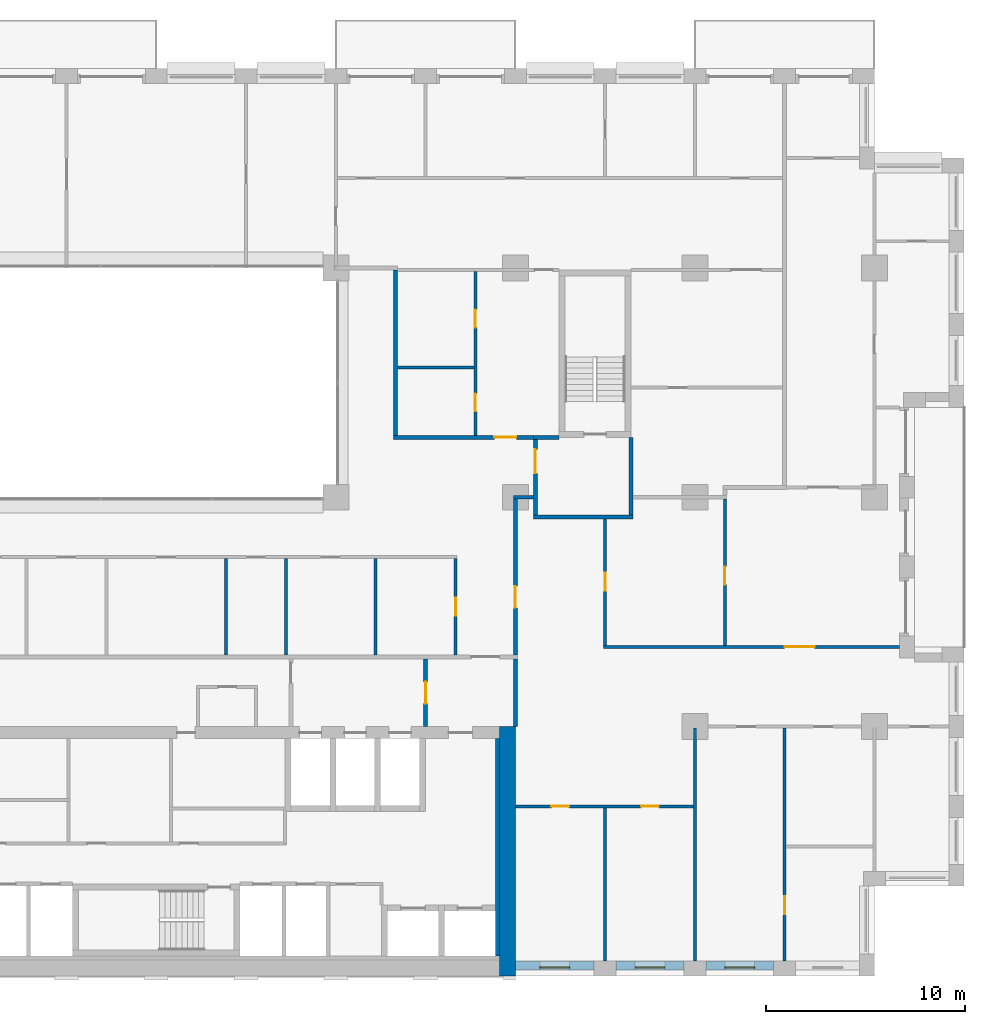
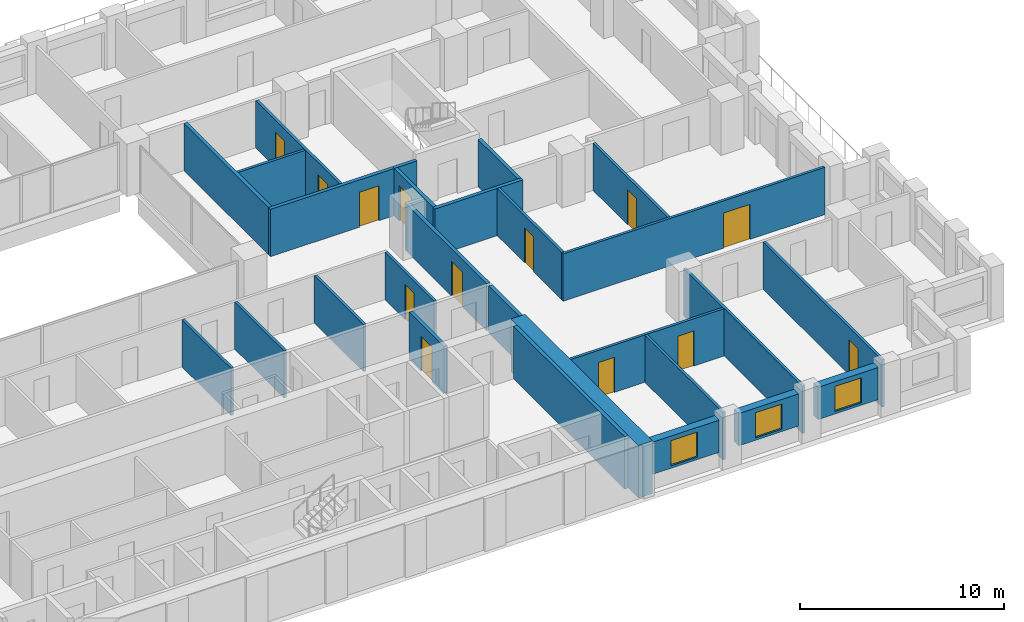
# One storey, part 11 of 17: 28 walls, 13 doors, 3 windows, 16 openings.
"""IFC4 building model written with IfcOpenShell, lengths in metres."""

from ifc_helpers import new_model, si_unit, direction, frame, frame_2d, origin, place, context, subcontext, project, spatial, rectangle, extrude, material, layer, layer_set, type_object, element, fill, save


model = new_model("IFC4")

# Units and contexts
model_context = context("Model", 3, precision=1e-05, world=origin(), true_north=direction((0.0, 1.0)))
body_context = subcontext(model_context, "Body", "Model", "MODEL_VIEW")
ifc_project = project(units=[si_unit("LENGTHUNIT", "METRE"), si_unit("AREAUNIT", "SQUARE_METRE"), si_unit("VOLUMEUNIT", "CUBIC_METRE"), si_unit("PLANEANGLEUNIT", "RADIAN"), si_unit("MASSUNIT", "GRAM", prefix="KILO")], contexts=[model_context])

# Site, building, storey
site_placement = place(None, origin())
site = spatial("IfcSite", under=ifc_project, at=site_placement, CompositionType="ELEMENT")
building_placement = place(site_placement, origin())
building = spatial("IfcBuilding", under=site, at=building_placement, Name="Brigalow Station Residences", CompositionType="ELEMENT")
storey_placement = place(building_placement, frame((0.0, 0.0, 96.14990234375)))
storey = spatial("IfcBuildingStorey", under=building, at=storey_placement, Name="L27", CompositionType="ELEMENT", Elevation=96.14990234375)

# Wall, opening, window
ifc_material_1 = material(Name="Clay brick masonry", Category="masonry")
ifc_layer_1 = layer(ifc_material_1, 0.449951171875)
ifc_layer_set_1 = layer_set([ifc_layer_1], Name="BRICK INFILL WALL 450")
wall_type_1 = type_object("IfcWallType", Name="BRICK INFILL WALL 450", PredefinedType="SOLIDWALL", material=ifc_layer_set_1)
wall_1_placement = place(storey_placement, frame((54.0, 0.52490234375, 0.900146484375), z_axis=(0.0, 0.0, 1.0), x_axis=(1.0, 0.0, 0.0)))
wall_1 = element("IfcWall", 1, at=wall_1_placement, inside=storey, type_object=wall_type_1, Name="L27/ewall/W-L27-4", PredefinedType="SOLIDWALL", context=body_context, shape_type="SweptSolid", body=[
    extrude(rectangle(XDim=3.949951171875, YDim=0.449951171875, at=frame_2d((1.97509765625, 0.0))), origin(), (0.0, 0.0, 1.0), 1.929931640625),
])
opening_1_placement = place(wall_1_placement, frame((1.22509765625, 0.0, 0.14990234375)))
opening_1 = element("IfcOpeningElement", 2, at=opening_1_placement, cuts=wall_1, Name="Opening WT-1", PredefinedType="OPENING", context=body_context, shape_type="SweptSolid", body=[
    extrude(rectangle(XDim=1.5, YDim=1.5, at=frame_2d((0.75, 0.75))), frame((0.0, 0.23486328125, 0.0), z_axis=(0.0, -1.0, 0.0), x_axis=(1.0, 0.0, 0.0)), (0.0, 0.0, 1.0), 0.469970703125),
])
ifc_material_2 = material(Name="Anodised aluminium frame with double glazing", Category="aluminium")
window_type = type_object("IfcWindowType", Name="WINDOW 1500x1500", PartitioningType="SINGLE_PANEL", PredefinedType="WINDOW", material=ifc_material_2)
window_1_placement = place(opening_1_placement, origin())
window_1 = element("IfcWindow", 3, at=window_1_placement, inside=storey, type_object=window_type, Name="L27/window/W-L27-4", OverallHeight=1.5, OverallWidth=1.5, PartitioningType="SINGLE_PANEL", PredefinedType="WINDOW", context=body_context, shape_type="SweptSolid", body=[
    extrude(rectangle(XDim=1.5, YDim=1.5, at=frame_2d((0.75, 0.75))), frame((0.0, -0.06494140625, 0.0), z_axis=(0.0, -1.0, 0.0), x_axis=(1.0, 0.0, 0.0)), (0.0, 0.0, 1.0), 0.06005859375),
])
fill(opening_1, window_1)

wall_2_placement = place(storey_placement, frame((59.050048828125, 0.52490234375, 0.900146484375), z_axis=(0.0, 0.0, 1.0), x_axis=(1.0, 0.0, 0.0)))
wall_2 = element("IfcWall", 4, at=wall_2_placement, inside=storey, type_object=wall_type_1, Name="L27/ewall/W-L27-5", PredefinedType="SOLIDWALL", context=body_context, shape_type="SweptSolid", body=[
    extrude(rectangle(XDim=3.39990234375, YDim=0.449951171875, at=frame_2d((1.699951171875, 0.0))), origin(), (0.0, 0.0, 1.0), 1.929931640625),
])
opening_2_placement = place(wall_2_placement, frame((0.949951171875, 0.0, 0.14990234375)))
opening_2 = element("IfcOpeningElement", 5, at=opening_2_placement, cuts=wall_2, Name="Opening WT-1", PredefinedType="OPENING", context=body_context, shape_type="SweptSolid", body=[
    extrude(rectangle(XDim=1.5, YDim=1.5, at=frame_2d((0.75, 0.75))), frame((0.0, 0.23486328125, 0.0), z_axis=(0.0, -1.0, 0.0), x_axis=(1.0, 0.0, 0.0)), (0.0, 0.0, 1.0), 0.469970703125),
])
window_2_placement = place(opening_2_placement, origin())
window_2 = element("IfcWindow", 6, at=window_2_placement, inside=storey, type_object=window_type, Name="L27/window/W-L27-5", OverallHeight=1.5, OverallWidth=1.5, PartitioningType="SINGLE_PANEL", PredefinedType="WINDOW", context=body_context, shape_type="SweptSolid", body=[
    extrude(rectangle(XDim=1.5, YDim=1.5, at=frame_2d((0.75, 0.75))), frame((0.0, -0.06494140625, 0.0), z_axis=(0.0, -1.0, 0.0), x_axis=(1.0, 0.0, 0.0)), (0.0, 0.0, 1.0), 0.06005859375),
])
fill(opening_2, window_2)

wall_3_placement = place(storey_placement, frame((63.550048828125, 0.52490234375, 0.900146484375), z_axis=(0.0, 0.0, 1.0), x_axis=(1.0, 0.0, 0.0)))
wall_3 = element("IfcWall", 7, at=wall_3_placement, inside=storey, type_object=wall_type_1, Name="L27/ewall/W-L27-6", PredefinedType="SOLIDWALL", context=body_context, shape_type="SweptSolid", body=[
    extrude(rectangle(XDim=3.39990234375, YDim=0.449951171875, at=frame_2d((1.699951171875, 0.0))), origin(), (0.0, 0.0, 1.0), 1.929931640625),
])
opening_3_placement = place(wall_3_placement, frame((0.949951171875, 0.0, 0.14990234375)))
opening_3 = element("IfcOpeningElement", 8, at=opening_3_placement, cuts=wall_3, Name="Opening WT-1", PredefinedType="OPENING", context=body_context, shape_type="SweptSolid", body=[
    extrude(rectangle(XDim=1.5, YDim=1.5, at=frame_2d((0.75, 0.75))), frame((0.0, 0.23486328125, 0.0), z_axis=(0.0, -1.0, 0.0), x_axis=(1.0, 0.0, 0.0)), (0.0, 0.0, 1.0), 0.469970703125),
])
window_3_placement = place(opening_3_placement, origin())
window_3 = element("IfcWindow", 9, at=window_3_placement, inside=storey, type_object=window_type, Name="L27/window/W-L27-6", OverallHeight=1.5, OverallWidth=1.5, PartitioningType="SINGLE_PANEL", PredefinedType="WINDOW", context=body_context, shape_type="SweptSolid", body=[
    extrude(rectangle(XDim=1.5, YDim=1.5, at=frame_2d((0.75, 0.75))), frame((0.0, -0.06494140625, 0.0), z_axis=(0.0, -1.0, 0.0), x_axis=(1.0, 0.0, 0.0)), (0.0, 0.0, 1.0), 0.06005859375),
])
fill(opening_3, window_3)

# Walls
ifc_material_3 = material(Name="Concrete C65", Category="concrete")
ifc_layer_2 = layer(ifc_material_3, 0.199951171875)
ifc_layer_set_2 = layer_set([ifc_layer_2], Name="CORE SHEAR WALL 200 C65")
wall_type_2 = type_object("IfcWallType", Name="CORE SHEAR WALL 200 C65", PredefinedType="SHEAR", material=ifc_layer_set_2)
wall_4_placement = place(storey_placement, frame((53.10009765625, 1.0, 0.0), z_axis=(0.0, 0.0, 1.0), x_axis=(0.0, 1.0, 0.0)))
element("IfcWall", 10, at=wall_4_placement, inside=storey, type_object=wall_type_2, Name="CORE WALL LIN-E L27", PredefinedType="SHEAR", context=body_context, shape_type="SweptSolid", body=[
    extrude(rectangle(XDim=10.89990234375, YDim=0.199951171875, at=frame_2d((5.449951171875, 0.0))), origin(), (0.0, 0.0, 1.0), 3.150146484375),
])
ifc_material_4 = material(Name="Concrete C65", Category="concrete")
ifc_layer_3 = layer(ifc_material_4, 0.800048828125)
ifc_layer_set_3 = layer_set([ifc_layer_3], Name="CORE SHEAR WALL 800 C65")
wall_type_3 = type_object("IfcWallType", Name="CORE SHEAR WALL 800 C65", PredefinedType="SHEAR", material=ifc_layer_set_3)
wall_5_placement = place(storey_placement, frame((53.60009765625, 0.0, 0.0), z_axis=(0.0, 0.0, 1.0), x_axis=(0.0, 1.0, 0.0)))
element("IfcWall", 11, at=wall_5_placement, inside=storey, type_object=wall_type_3, Name="CORE WALL OUT-E L27", PredefinedType="SHEAR", context=body_context, shape_type="SweptSolid", body=[
    extrude(rectangle(XDim=12.5, YDim=0.800048828125, at=frame_2d((6.25, 0.0))), origin(), (0.0, 0.0, 1.0), 3.150146484375),
])
ifc_material_5 = material(Name="Concrete blockwork", Category="masonry")
ifc_layer_4 = layer(ifc_material_5, 0.199951171875)
ifc_layer_set_4 = layer_set([ifc_layer_4], Name="FIRE RATED CORE PARTITION 200")
wall_type_4 = type_object("IfcWallType", Name="FIRE RATED CORE PARTITION 200", PredefinedType="PARTITIONING", material=ifc_layer_set_4)
wall_6_placement = place(storey_placement, frame((54.89990234375, 23.0, 0.0), z_axis=(0.0, 0.0, 1.0), x_axis=(1.0, 0.0, 0.0)))
element("IfcWall", 12, at=wall_6_placement, inside=storey, type_object=wall_type_4, Name="PW-5024", PredefinedType="PARTITIONING", context=body_context, shape_type="SweptSolid", body=[
    extrude(rectangle(XDim=5.0, YDim=0.199951171875, at=frame_2d((2.5, 0.0))), origin(), (0.0, 0.0, 1.0), 2.830078125),
])
wall_7_placement = place(storey_placement, frame((54.89990234375, 27.0, 0.0), z_axis=(0.0, 0.0, 1.0), x_axis=(1.0, 0.0, 0.0)))
element("IfcWall", 13, at=wall_7_placement, inside=storey, type_object=wall_type_4, Name="PW-5026", PredefinedType="PARTITIONING", context=body_context, shape_type="SweptSolid", body=[
    extrude(rectangle(XDim=1.300048828125, YDim=0.199951171875, at=frame_2d((0.64990234375, 0.0))), origin(), (0.0, 0.0, 1.0), 2.830078125),
])

# Wall, opening, door
wall_8_placement = place(storey_placement, frame((49.5, 12.5, 0.0), z_axis=(0.0, 0.0, 1.0), x_axis=(0.0, 1.0, 0.0)))
wall_8 = element("IfcWall", 14, at=wall_8_placement, inside=storey, type_object=wall_type_4, Name="PW-5015", PredefinedType="PARTITIONING", context=body_context, shape_type="SweptSolid", body=[
    extrude(rectangle(XDim=3.39990234375, YDim=0.199951171875, at=frame_2d((1.699951171875, 0.0))), origin(), (0.0, 0.0, 1.0), 2.830078125),
])
opening_4_placement = place(wall_8_placement, frame((1.14990234375, 0.0, 0.0)))
opening_4 = element("IfcOpeningElement", 15, at=opening_4_placement, cuts=wall_8, Name="Opening D-5014", PredefinedType="OPENING", context=body_context, shape_type="SweptSolid", body=[
    extrude(rectangle(XDim=1.10009765625, YDim=2.10009765625, at=frame_2d((0.550048828125, 1.050048828125))), frame((0.0, 0.10986328125, 0.0), z_axis=(0.0, -1.0, 0.0), x_axis=(1.0, 0.0, 0.0)), (0.0, 0.0, 1.0), 0.219970703125),
])
ifc_material_6 = material(Name="Steel fire door leaf in steel frame", Category="steel")
door_type_1 = type_object("IfcDoorType", Name="LOBBY DOOR 1100 x 2100 FD60S", OperationType="SINGLE_SWING_LEFT", PredefinedType="DOOR", material=ifc_material_6)
door_1_placement = place(opening_4_placement, origin())
door_1 = element("IfcDoor", 16, at=door_1_placement, inside=storey, type_object=door_type_1, Name="D-5014", OperationType="SINGLE_SWING_LEFT", OverallHeight=2.10009765625, OverallWidth=1.10009765625, PredefinedType="DOOR", context=body_context, shape_type="SweptSolid", body=[
    extrude(rectangle(XDim=1.10009765625, YDim=2.10009765625, at=frame_2d((0.550048828125, 1.050048828125))), frame((0.0, 0.02490234375, 0.0), z_axis=(0.0, -1.0, 0.0), x_axis=(1.0, 0.0, 0.0)), (0.0, 0.0, 1.0), 0.050048828125),
])
fill(opening_4, door_1)

# Wall
wall_9_placement = place(storey_placement, frame((54.0, 12.5, 0.0), z_axis=(0.0, 0.0, 1.0), x_axis=(0.0, 1.0, 0.0)))
element("IfcWall", 17, at=wall_9_placement, inside=storey, type_object=wall_type_4, Name="PW-5016", PredefinedType="PARTITIONING", context=body_context, shape_type="SweptSolid", body=[
    extrude(rectangle(XDim=3.39990234375, YDim=0.199951171875, at=frame_2d((1.699951171875, 0.0))), origin(), (0.0, 0.0, 1.0), 2.830078125),
])

# Wall, opening, door
wall_10_placement = place(storey_placement, frame((55.0, 23.10009765625, 0.0), z_axis=(0.0, 0.0, 1.0), x_axis=(0.0, 1.0, 0.0)))
wall_10 = element("IfcWall", 18, at=wall_10_placement, inside=storey, type_object=wall_type_4, Name="PW-5036", PredefinedType="PARTITIONING", context=body_context, shape_type="SweptSolid", body=[
    extrude(rectangle(XDim=3.7998046875, YDim=0.199951171875, at=frame_2d((1.89990234375, 0.0))), origin(), (0.0, 0.0, 1.0), 2.830078125),
])
opening_5_placement = place(wall_10_placement, frame((2.10009765625, 0.0, 0.0)))
opening_5 = element("IfcOpeningElement", 19, at=opening_5_placement, cuts=wall_10, Name="Opening D-5019", PredefinedType="OPENING", context=body_context, shape_type="SweptSolid", body=[
    extrude(rectangle(XDim=1.199951171875, YDim=2.10009765625, at=frame_2d((0.60009765625, 1.050048828125))), frame((0.0, 0.10986328125, 0.0), z_axis=(0.0, -1.0, 0.0), x_axis=(1.0, 0.0, 0.0)), (0.0, 0.0, 1.0), 0.219970703125),
])
ifc_material_7 = material(Name="Steel fire door leaf in steel frame", Category="steel")
door_type_2 = type_object("IfcDoorType", Name="STAIR LOBBY DOOR 1200 x 2100 FD60S", OperationType="SINGLE_SWING_LEFT", PredefinedType="DOOR", material=ifc_material_7)
door_2_placement = place(opening_5_placement, frame((1.199951171875, 0.0, 0.0), z_axis=(0.0, 0.0, 1.0), x_axis=(-1.0, 0.0, 0.0)))
door_2 = element("IfcDoor", 20, at=door_2_placement, inside=storey, type_object=door_type_2, Name="D-5019", OperationType="SINGLE_SWING_LEFT", OverallHeight=2.10009765625, OverallWidth=1.199951171875, PredefinedType="DOOR", context=body_context, shape_type="SweptSolid", body=[
    extrude(rectangle(XDim=1.199951171875, YDim=2.10009765625, at=frame_2d((0.60009765625, 1.050048828125))), frame((0.0, 0.02490234375, 0.0), z_axis=(0.0, -1.0, 0.0), x_axis=(1.0, 0.0, 0.0)), (0.0, 0.0, 1.0), 0.050048828125),
])
fill(opening_5, door_2)

# Wall
wall_11_placement = place(storey_placement, frame((59.800048828125, 23.10009765625, 0.0), z_axis=(0.0, 0.0, 1.0), x_axis=(0.0, 1.0, 0.0)))
element("IfcWall", 21, at=wall_11_placement, inside=storey, type_object=wall_type_4, Name="PW-5037", PredefinedType="PARTITIONING", context=body_context, shape_type="SweptSolid", body=[
    extrude(rectangle(XDim=3.89990234375, YDim=0.199951171875, at=frame_2d((1.949951171875, 0.0))), origin(), (0.0, 0.0, 1.0), 2.830078125),
])

# Wall, openings, doors
ifc_material_8 = material(Name="Plasterboard on steel stud partition", Category="steel")
ifc_layer_5 = layer(ifc_material_8, 0.14990234375)
ifc_layer_set_5 = layer_set([ifc_layer_5], Name="FLAT PARTITION 150")
wall_type_5 = type_object("IfcWallType", Name="FLAT PARTITION 150", PredefinedType="PARTITIONING", material=ifc_layer_set_5)
wall_12_placement = place(storey_placement, frame((54.0, 8.5, 0.0), z_axis=(0.0, 0.0, 1.0), x_axis=(1.0, 0.0, 0.0)))
wall_12 = element("IfcWall", 22, at=wall_12_placement, inside=storey, type_object=wall_type_5, Name="PW-2B12", PredefinedType="PARTITIONING", context=body_context, shape_type="SweptSolid", body=[
    extrude(rectangle(XDim=8.925048828125, YDim=0.14990234375, at=frame_2d((4.46240234375, 0.0))), origin(), (0.0, 0.0, 1.0), 2.830078125),
])
opening_6_placement = place(wall_12_placement, frame((1.800048828125, 0.0, 0.0)))
opening_6 = element("IfcOpeningElement", 23, at=opening_6_placement, cuts=wall_12, Name="Opening D-2B34", PredefinedType="OPENING", context=body_context, shape_type="SweptSolid", body=[
    extrude(rectangle(XDim=0.89990234375, YDim=2.10009765625, at=frame_2d((0.449951171875, 1.050048828125))), frame((0.0, 0.0849609375, 0.0), z_axis=(0.0, -1.0, 0.0), x_axis=(1.0, 0.0, 0.0)), (0.0, 0.0, 1.0), 0.169921875),
])
opening_7_placement = place(wall_12_placement, frame((6.300048828125, 0.0, 0.0)))
opening_7 = element("IfcOpeningElement", 24, at=opening_7_placement, cuts=wall_12, Name="Opening D-2B36", PredefinedType="OPENING", context=body_context, shape_type="SweptSolid", body=[
    extrude(rectangle(XDim=0.89990234375, YDim=2.10009765625, at=frame_2d((0.449951171875, 1.050048828125))), frame((0.0, 0.0849609375, 0.0), z_axis=(0.0, -1.0, 0.0), x_axis=(1.0, 0.0, 0.0)), (0.0, 0.0, 1.0), 0.169921875),
])
ifc_material_9 = material(Name="Solid-core timber door leaf", Category="wood")
door_type_3 = type_object("IfcDoorType", Name="INTERNAL DOOR 900 x 2100", OperationType="SINGLE_SWING_LEFT", PredefinedType="DOOR", material=ifc_material_9)
door_3_placement = place(opening_6_placement, frame((0.89990234375, 0.0, 0.0), z_axis=(0.0, 0.0, 1.0), x_axis=(-1.0, 0.0, 0.0)))
door_3 = element("IfcDoor", 25, at=door_3_placement, inside=storey, type_object=door_type_3, Name="D-2B34", OperationType="SINGLE_SWING_LEFT", OverallHeight=2.10009765625, OverallWidth=0.89990234375, PredefinedType="DOOR", context=body_context, shape_type="SweptSolid", body=[
    extrude(rectangle(XDim=0.89990234375, YDim=2.10009765625, at=frame_2d((0.449951171875, 1.050048828125))), frame((0.0, 0.02490234375, 0.0), z_axis=(0.0, -1.0, 0.0), x_axis=(1.0, 0.0, 0.0)), (0.0, 0.0, 1.0), 0.050048828125),
])
fill(opening_6, door_3)
door_4_placement = place(opening_7_placement, frame((0.89990234375, 0.0, 0.0), z_axis=(0.0, 0.0, 1.0), x_axis=(-1.0, 0.0, 0.0)))
door_4 = element("IfcDoor", 26, at=door_4_placement, inside=storey, type_object=door_type_3, Name="D-2B36", OperationType="SINGLE_SWING_RIGHT", OverallHeight=2.10009765625, OverallWidth=0.89990234375, PredefinedType="DOOR", context=body_context, shape_type="SweptSolid", body=[
    extrude(rectangle(XDim=0.89990234375, YDim=2.10009765625, at=frame_2d((0.449951171875, 1.050048828125))), frame((0.0, 0.02490234375, 0.0), z_axis=(0.0, -1.0, 0.0), x_axis=(1.0, 0.0, 0.0)), (0.0, 0.0, 1.0), 0.050048828125),
])
fill(opening_7, door_4)

# Wall, opening, door
wall_13_placement = place(storey_placement, frame((58.425048828125, 16.5, 0.0), z_axis=(0.0, 0.0, 1.0), x_axis=(1.0, 0.0, 0.0)))
wall_13 = element("IfcWall", 27, at=wall_13_placement, inside=storey, type_object=wall_type_5, Name="PW-2B15", PredefinedType="PARTITIONING", context=body_context, shape_type="SweptSolid", body=[
    extrude(rectangle(XDim=14.824951171875, YDim=0.14990234375, at=frame_2d((7.41259765625, 0.0))), origin(), (0.0, 0.0, 1.0), 2.830078125),
])
opening_8_placement = place(wall_13_placement, frame((9.074951171875, 0.0, 0.0)))
opening_8 = element("IfcOpeningElement", 28, at=opening_8_placement, cuts=wall_13, Name="Opening D-2B42", PredefinedType="OPENING", context=body_context, shape_type="SweptSolid", body=[
    extrude(rectangle(XDim=1.5, YDim=2.10009765625, at=frame_2d((0.75, 1.050048828125))), frame((0.0, 0.0849609375, 0.0), z_axis=(0.0, -1.0, 0.0), x_axis=(1.0, 0.0, 0.0)), (0.0, 0.0, 1.0), 0.169921875),
])
ifc_material_10 = material(Name="Solid-core timber door leaf", Category="wood")
door_type_4 = type_object("IfcDoorType", Name="INTERNAL DOUBLE DOOR 1500 x 2100", OperationType="DOUBLE_DOOR_SINGLE_SWING", PredefinedType="DOOR", material=ifc_material_10)
door_5_placement = place(opening_8_placement, origin())
door_5 = element("IfcDoor", 29, at=door_5_placement, inside=storey, type_object=door_type_4, Name="D-2B42", OperationType="DOUBLE_DOOR_SINGLE_SWING", OverallHeight=2.10009765625, OverallWidth=1.5, PredefinedType="DOOR", context=body_context, shape_type="SweptSolid", body=[
    extrude(rectangle(XDim=1.5, YDim=2.10009765625, at=frame_2d((0.75, 1.050048828125))), frame((0.0, 0.02490234375, 0.0), z_axis=(0.0, -1.0, 0.0), x_axis=(1.0, 0.0, 0.0)), (0.0, 0.0, 1.0), 0.050048828125),
])
fill(opening_8, door_5)

# Wall
wall_14_placement = place(storey_placement, frame((48.10009765625, 30.5, 0.0), z_axis=(0.0, 0.0, 1.0), x_axis=(1.0, 0.0, 0.0)))
element("IfcWall", 30, at=wall_14_placement, inside=storey, type_object=wall_type_5, Name="PW-2B33", PredefinedType="PARTITIONING", context=body_context, shape_type="SweptSolid", body=[
    extrude(rectangle(XDim=3.824951171875, YDim=0.14990234375, at=frame_2d((1.91259765625, 0.0))), origin(), (0.0, 0.0, 1.0), 2.830078125),
])

# Wall, opening, door
wall_15_placement = place(storey_placement, frame((51.0, 16.10009765625, 0.0), z_axis=(0.0, 0.0, 1.0), x_axis=(0.0, 1.0, 0.0)))
wall_15 = element("IfcWall", 31, at=wall_15_placement, inside=storey, type_object=wall_type_5, Name="PW-2B42", PredefinedType="PARTITIONING", context=body_context, shape_type="SweptSolid", body=[
    extrude(rectangle(XDim=4.824951171875, YDim=0.14990234375, at=frame_2d((2.41259765625, 0.0))), origin(), (0.0, 0.0, 1.0), 2.830078125),
])
opening_9_placement = place(wall_15_placement, frame((1.949951171875, 0.0, 0.0)))
opening_9 = element("IfcOpeningElement", 32, at=opening_9_placement, cuts=wall_15, Name="Opening D-2B53", PredefinedType="OPENING", context=body_context, shape_type="SweptSolid", body=[
    extrude(rectangle(XDim=0.89990234375, YDim=2.10009765625, at=frame_2d((0.449951171875, 1.050048828125))), frame((0.0, 0.0849609375, 0.0), z_axis=(0.0, -1.0, 0.0), x_axis=(1.0, 0.0, 0.0)), (0.0, 0.0, 1.0), 0.169921875),
])
door_6_placement = place(opening_9_placement, origin())
door_6 = element("IfcDoor", 33, at=door_6_placement, inside=storey, type_object=door_type_3, Name="D-2B53", OperationType="SINGLE_SWING_LEFT", OverallHeight=2.10009765625, OverallWidth=0.89990234375, PredefinedType="DOOR", context=body_context, shape_type="SweptSolid", body=[
    extrude(rectangle(XDim=0.89990234375, YDim=2.10009765625, at=frame_2d((0.449951171875, 1.050048828125))), frame((0.0, 0.02490234375, 0.0), z_axis=(0.0, -1.0, 0.0), x_axis=(1.0, 0.0, 0.0)), (0.0, 0.0, 1.0), 0.050048828125),
])
fill(opening_9, door_6)

# Wall, openings, doors
wall_16_placement = place(storey_placement, frame((52.0, 27.10009765625, 0.0), z_axis=(0.0, 0.0, 1.0), x_axis=(0.0, 1.0, 0.0)))
wall_16 = element("IfcWall", 34, at=wall_16_placement, inside=storey, type_object=wall_type_5, Name="PW-2B53", PredefinedType="PARTITIONING", context=body_context, shape_type="SweptSolid", body=[
    extrude(rectangle(XDim=8.224853515625, YDim=0.14990234375, at=frame_2d((4.1123046875, 0.0))), origin(), (0.0, 0.0, 1.0), 2.830078125),
])
opening_10_placement = place(wall_16_placement, frame((1.199951171875, 0.0, 0.0)))
opening_10 = element("IfcOpeningElement", 35, at=opening_10_placement, cuts=wall_16, Name="Opening D-2B21", PredefinedType="OPENING", context=body_context, shape_type="SweptSolid", body=[
    extrude(rectangle(XDim=0.89990234375, YDim=2.10009765625, at=frame_2d((0.449951171875, 1.050048828125))), frame((0.0, 0.0849609375, 0.0), z_axis=(0.0, -1.0, 0.0), x_axis=(1.0, 0.0, 0.0)), (0.0, 0.0, 1.0), 0.169921875),
])
opening_11_placement = place(wall_16_placement, frame((5.39990234375, 0.0, 0.0)))
opening_11 = element("IfcOpeningElement", 36, at=opening_11_placement, cuts=wall_16, Name="Opening D-2B22", PredefinedType="OPENING", context=body_context, shape_type="SweptSolid", body=[
    extrude(rectangle(XDim=0.89990234375, YDim=2.10009765625, at=frame_2d((0.449951171875, 1.050048828125))), frame((0.0, 0.0849609375, 0.0), z_axis=(0.0, -1.0, 0.0), x_axis=(1.0, 0.0, 0.0)), (0.0, 0.0, 1.0), 0.169921875),
])
door_7_placement = place(opening_10_placement, origin())
door_7 = element("IfcDoor", 37, at=door_7_placement, inside=storey, type_object=door_type_3, Name="D-2B21", OperationType="SINGLE_SWING_LEFT", OverallHeight=2.10009765625, OverallWidth=0.89990234375, PredefinedType="DOOR", context=body_context, shape_type="SweptSolid", body=[
    extrude(rectangle(XDim=0.89990234375, YDim=2.10009765625, at=frame_2d((0.449951171875, 1.050048828125))), frame((0.0, 0.02490234375, 0.0), z_axis=(0.0, -1.0, 0.0), x_axis=(1.0, 0.0, 0.0)), (0.0, 0.0, 1.0), 0.050048828125),
])
fill(opening_10, door_7)
door_8_placement = place(opening_11_placement, origin())
door_8 = element("IfcDoor", 38, at=door_8_placement, inside=storey, type_object=door_type_3, Name="D-2B22", OperationType="SINGLE_SWING_RIGHT", OverallHeight=2.10009765625, OverallWidth=0.89990234375, PredefinedType="DOOR", context=body_context, shape_type="SweptSolid", body=[
    extrude(rectangle(XDim=0.89990234375, YDim=2.10009765625, at=frame_2d((0.449951171875, 1.050048828125))), frame((0.0, 0.02490234375, 0.0), z_axis=(0.0, -1.0, 0.0), x_axis=(1.0, 0.0, 0.0)), (0.0, 0.0, 1.0), 0.050048828125),
])
fill(opening_11, door_8)

# Wall, opening, door
wall_17_placement = place(storey_placement, frame((67.5, 0.75, 0.0), z_axis=(0.0, 0.0, 1.0), x_axis=(0.0, 1.0, 0.0)))
wall_17 = element("IfcWall", 39, at=wall_17_placement, inside=storey, type_object=wall_type_5, Name="PW-2B57", PredefinedType="PARTITIONING", context=body_context, shape_type="SweptSolid", body=[
    extrude(rectangle(XDim=11.675048828125, YDim=0.14990234375, at=frame_2d((5.83740234375, 0.0))), origin(), (0.0, 0.0, 1.0), 2.830078125),
])
opening_12_placement = place(wall_17_placement, frame((2.35009765625, 0.0, 0.0)))
opening_12 = element("IfcOpeningElement", 40, at=opening_12_placement, cuts=wall_17, Name="Opening D-2B38", PredefinedType="OPENING", context=body_context, shape_type="SweptSolid", body=[
    extrude(rectangle(XDim=0.89990234375, YDim=2.10009765625, at=frame_2d((0.449951171875, 1.050048828125))), frame((0.0, 0.0849609375, 0.0), z_axis=(0.0, -1.0, 0.0), x_axis=(1.0, 0.0, 0.0)), (0.0, 0.0, 1.0), 0.169921875),
])
door_9_placement = place(opening_12_placement, frame((0.89990234375, 0.0, 0.0), z_axis=(0.0, 0.0, 1.0), x_axis=(-1.0, 0.0, 0.0)))
door_9 = element("IfcDoor", 41, at=door_9_placement, inside=storey, type_object=door_type_3, Name="D-2B38", OperationType="SINGLE_SWING_RIGHT", OverallHeight=2.10009765625, OverallWidth=0.89990234375, PredefinedType="DOOR", context=body_context, shape_type="SweptSolid", body=[
    extrude(rectangle(XDim=0.89990234375, YDim=2.10009765625, at=frame_2d((0.449951171875, 1.050048828125))), frame((0.0, 0.02490234375, 0.0), z_axis=(0.0, -1.0, 0.0), x_axis=(1.0, 0.0, 0.0)), (0.0, 0.0, 1.0), 0.050048828125),
])
fill(opening_12, door_9)

# Wall
wall_18_placement = place(storey_placement, frame((58.5, 0.75, 0.0), z_axis=(0.0, 0.0, 1.0), x_axis=(0.0, 1.0, 0.0)))
element("IfcWall", 42, at=wall_18_placement, inside=storey, type_object=wall_type_5, Name="PW-2B60", PredefinedType="PARTITIONING", context=body_context, shape_type="SweptSolid", body=[
    extrude(rectangle(XDim=7.675048828125, YDim=0.14990234375, at=frame_2d((3.83740234375, 0.0))), origin(), (0.0, 0.0, 1.0), 2.830078125),
])

# Wall, opening, door
wall_19_placement = place(storey_placement, frame((58.5, 16.574951171875, 0.0), z_axis=(0.0, 0.0, 1.0), x_axis=(0.0, 1.0, 0.0)))
wall_19 = element("IfcWall", 43, at=wall_19_placement, inside=storey, type_object=wall_type_5, Name="PW-2B61", PredefinedType="PARTITIONING", context=body_context, shape_type="SweptSolid", body=[
    extrude(rectangle(XDim=6.324951171875, YDim=0.14990234375, at=frame_2d((3.16259765625, 0.0))), origin(), (0.0, 0.0, 1.0), 2.830078125),
])
opening_13_placement = place(wall_19_placement, frame((2.75, 0.0, 0.0)))
opening_13 = element("IfcOpeningElement", 44, at=opening_13_placement, cuts=wall_19, Name="Opening D-2B40", PredefinedType="OPENING", context=body_context, shape_type="SweptSolid", body=[
    extrude(rectangle(XDim=0.89990234375, YDim=2.10009765625, at=frame_2d((0.449951171875, 1.050048828125))), frame((0.0, 0.0849609375, 0.0), z_axis=(0.0, -1.0, 0.0), x_axis=(1.0, 0.0, 0.0)), (0.0, 0.0, 1.0), 0.169921875),
])
door_10_placement = place(opening_13_placement, frame((0.89990234375, 0.0, 0.0), z_axis=(0.0, 0.0, 1.0), x_axis=(-1.0, 0.0, 0.0)))
door_10 = element("IfcDoor", 45, at=door_10_placement, inside=storey, type_object=door_type_3, Name="D-2B40", OperationType="SINGLE_SWING_LEFT", OverallHeight=2.10009765625, OverallWidth=0.89990234375, PredefinedType="DOOR", context=body_context, shape_type="SweptSolid", body=[
    extrude(rectangle(XDim=0.89990234375, YDim=2.10009765625, at=frame_2d((0.449951171875, 1.050048828125))), frame((0.0, 0.02490234375, 0.0), z_axis=(0.0, -1.0, 0.0), x_axis=(1.0, 0.0, 0.0)), (0.0, 0.0, 1.0), 0.050048828125),
])
fill(opening_13, door_10)

# Wall
wall_20_placement = place(storey_placement, frame((63.0, 0.75, 0.0), z_axis=(0.0, 0.0, 1.0), x_axis=(0.0, 1.0, 0.0)))
element("IfcWall", 46, at=wall_20_placement, inside=storey, type_object=wall_type_5, Name="PW-2B63", PredefinedType="PARTITIONING", context=body_context, shape_type="SweptSolid", body=[
    extrude(rectangle(XDim=11.675048828125, YDim=0.14990234375, at=frame_2d((5.83740234375, 0.0))), origin(), (0.0, 0.0, 1.0), 2.830078125),
])

# Wall, opening, door
wall_21_placement = place(storey_placement, frame((64.5, 16.574951171875, 0.0), z_axis=(0.0, 0.0, 1.0), x_axis=(0.0, 1.0, 0.0)))
wall_21 = element("IfcWall", 47, at=wall_21_placement, inside=storey, type_object=wall_type_5, Name="PW-2B65", PredefinedType="PARTITIONING", context=body_context, shape_type="SweptSolid", body=[
    extrude(rectangle(XDim=7.324951171875, YDim=0.14990234375, at=frame_2d((3.66259765625, 0.0))), origin(), (0.0, 0.0, 1.0), 2.830078125),
])
opening_14_placement = place(wall_21_placement, frame((3.050048828125, 0.0, 0.0)))
opening_14 = element("IfcOpeningElement", 48, at=opening_14_placement, cuts=wall_21, Name="Opening D-2B41", PredefinedType="OPENING", context=body_context, shape_type="SweptSolid", body=[
    extrude(rectangle(XDim=0.89990234375, YDim=2.10009765625, at=frame_2d((0.449951171875, 1.050048828125))), frame((0.0, 0.0849609375, 0.0), z_axis=(0.0, -1.0, 0.0), x_axis=(1.0, 0.0, 0.0)), (0.0, 0.0, 1.0), 0.169921875),
])
door_11_placement = place(opening_14_placement, origin())
door_11 = element("IfcDoor", 49, at=door_11_placement, inside=storey, type_object=door_type_3, Name="D-2B41", OperationType="SINGLE_SWING_LEFT", OverallHeight=2.10009765625, OverallWidth=0.89990234375, PredefinedType="DOOR", context=body_context, shape_type="SweptSolid", body=[
    extrude(rectangle(XDim=0.89990234375, YDim=2.10009765625, at=frame_2d((0.449951171875, 1.050048828125))), frame((0.0, 0.02490234375, 0.0), z_axis=(0.0, -1.0, 0.0), x_axis=(1.0, 0.0, 0.0)), (0.0, 0.0, 1.0), 0.050048828125),
])
fill(opening_14, door_11)

# Walls
for number, where, z_axis, x_axis, name in (
    (50, (39.5, 16.10009765625, 0.0), (0.0, 0.0, 1.0), (0.0, 1.0, 0.0), "PW-2B72"),
    (51, (42.5, 16.10009765625, 0.0), (0.0, 0.0, 1.0), (0.0, 1.0, 0.0), "PW-2B73"),
    (52, (47.0, 16.10009765625, 0.0), (0.0, 0.0, 1.0), (0.0, 1.0, 0.0), "PW-2B74"),
):
    element("IfcWall", number, at=place(storey_placement, frame(where, z_axis=z_axis, x_axis=x_axis)), inside=storey, type_object=wall_type_5, Name=name, PredefinedType="PARTITIONING", context=body_context, shape_type="SweptSolid", body=[
        extrude(rectangle(XDim=4.824951171875, YDim=0.14990234375, at=frame_2d((2.41259765625, 0.0))), origin(), (0.0, 0.0, 1.0), 2.830078125),
    ])
ifc_material_11 = material(Name="Plasterboard on steel stud partition", Category="steel")
ifc_layer_6 = layer(ifc_material_11, 0.199951171875)
ifc_layer_set_6 = layer_set([ifc_layer_6], Name="PARTY AND CORRIDOR WALL 200")
wall_type_6 = type_object("IfcWallType", Name="PARTY AND CORRIDOR WALL 200", PredefinedType="PARTITIONING", material=ifc_layer_set_6)
wall_22_placement = place(storey_placement, frame((53.89990234375, 24.0, 0.0), z_axis=(0.0, 0.0, 1.0), x_axis=(1.0, 0.0, 0.0)))
element("IfcWall", 53, at=wall_22_placement, inside=storey, type_object=wall_type_6, Name="PW-2B03", PredefinedType="PARTITIONING", context=body_context, shape_type="SweptSolid", body=[
    extrude(rectangle(XDim=1.0, YDim=0.199951171875, at=frame_2d((0.5, 0.0))), origin(), (0.0, 0.0, 1.0), 2.830078125),
])

# Wall, opening, door
wall_23_placement = place(storey_placement, frame((47.89990234375, 27.0, 0.0), z_axis=(0.0, 0.0, 1.0), x_axis=(1.0, 0.0, 0.0)))
wall_23 = element("IfcWall", 54, at=wall_23_placement, inside=storey, type_object=wall_type_6, Name="PW-2B06", PredefinedType="PARTITIONING", context=body_context, shape_type="SweptSolid", body=[
    extrude(rectangle(XDim=7.0, YDim=0.199951171875, at=frame_2d((3.5, 0.0))), origin(), (0.0, 0.0, 1.0), 2.830078125),
])
opening_15_placement = place(wall_23_placement, frame((5.050048828125, 0.0, 0.0)))
opening_15 = element("IfcOpeningElement", 55, at=opening_15_placement, cuts=wall_23, Name="Opening D-2B20", PredefinedType="OPENING", context=body_context, shape_type="SweptSolid", body=[
    extrude(rectangle(XDim=1.10009765625, YDim=2.10009765625, at=frame_2d((0.550048828125, 1.050048828125))), frame((0.0, 0.10986328125, 0.0), z_axis=(0.0, -1.0, 0.0), x_axis=(1.0, 0.0, 0.0)), (0.0, 0.0, 1.0), 0.219970703125),
])
ifc_material_12 = material(Name="Solid-core timber door leaf", Category="wood")
door_type_5 = type_object("IfcDoorType", Name="FLAT ENTRANCE DOOR 1100 x 2100 FRL -/60/30", OperationType="SINGLE_SWING_LEFT", PredefinedType="DOOR", material=ifc_material_12)
door_12_placement = place(opening_15_placement, origin())
door_12 = element("IfcDoor", 56, at=door_12_placement, inside=storey, type_object=door_type_5, Name="D-2B20", OperationType="SINGLE_SWING_LEFT", OverallHeight=2.10009765625, OverallWidth=1.10009765625, PredefinedType="DOOR", context=body_context, shape_type="SweptSolid", body=[
    extrude(rectangle(XDim=1.10009765625, YDim=2.10009765625, at=frame_2d((0.550048828125, 1.050048828125))), frame((0.0, 0.02490234375, 0.0), z_axis=(0.0, -1.0, 0.0), x_axis=(1.0, 0.0, 0.0)), (0.0, 0.0, 1.0), 0.050048828125),
])
fill(opening_15, door_12)

wall_24_placement = place(storey_placement, frame((54.0, 16.10009765625, 0.0), z_axis=(0.0, 0.0, 1.0), x_axis=(0.0, 1.0, 0.0)))
wall_24 = element("IfcWall", 57, at=wall_24_placement, inside=storey, type_object=wall_type_6, Name="PW-2B40", PredefinedType="PARTITIONING", context=body_context, shape_type="SweptSolid", body=[
    extrude(rectangle(XDim=7.7998046875, YDim=0.199951171875, at=frame_2d((3.89990234375, 0.0))), origin(), (0.0, 0.0, 1.0), 2.830078125),
])
opening_16_placement = place(wall_24_placement, frame((2.35009765625, 0.0, 0.0)))
opening_16 = element("IfcOpeningElement", 58, at=opening_16_placement, cuts=wall_24, Name="Opening D-2B33", PredefinedType="OPENING", context=body_context, shape_type="SweptSolid", body=[
    extrude(rectangle(XDim=1.10009765625, YDim=2.10009765625, at=frame_2d((0.550048828125, 1.050048828125))), frame((0.0, 0.10986328125, 0.0), z_axis=(0.0, -1.0, 0.0), x_axis=(1.0, 0.0, 0.0)), (0.0, 0.0, 1.0), 0.219970703125),
])
door_13_placement = place(opening_16_placement, frame((1.10009765625, 0.0, 0.0), z_axis=(0.0, 0.0, 1.0), x_axis=(-1.0, 0.0, 0.0)))
door_13 = element("IfcDoor", 59, at=door_13_placement, inside=storey, type_object=door_type_5, Name="D-2B33", OperationType="SINGLE_SWING_LEFT", OverallHeight=2.10009765625, OverallWidth=1.10009765625, PredefinedType="DOOR", context=body_context, shape_type="SweptSolid", body=[
    extrude(rectangle(XDim=1.10009765625, YDim=2.10009765625, at=frame_2d((0.550048828125, 1.050048828125))), frame((0.0, 0.02490234375, 0.0), z_axis=(0.0, -1.0, 0.0), x_axis=(1.0, 0.0, 0.0)), (0.0, 0.0, 1.0), 0.050048828125),
])
fill(opening_16, door_13)

# Wall
wall_25_placement = place(storey_placement, frame((48.0, 27.10009765625, 0.0), z_axis=(0.0, 0.0, 1.0), x_axis=(0.0, 1.0, 0.0)))
element("IfcWall", 60, at=wall_25_placement, inside=storey, type_object=wall_type_6, Name="PW-2B44", PredefinedType="PARTITIONING", context=body_context, shape_type="SweptSolid", body=[
    extrude(rectangle(XDim=8.2998046875, YDim=0.199951171875, at=frame_2d((4.14990234375, 0.0))), origin(), (0.0, 0.0, 1.0), 2.830078125),
])

save(model, "model.ifc")
